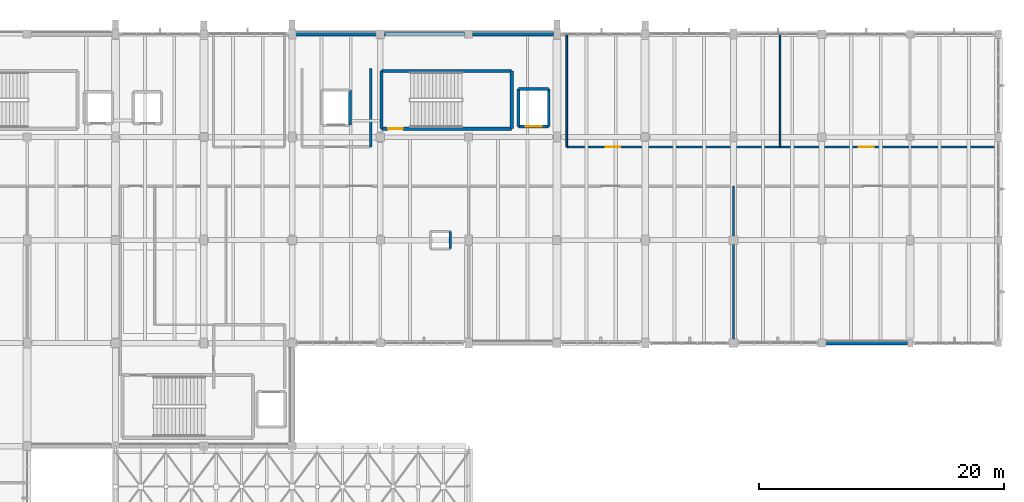
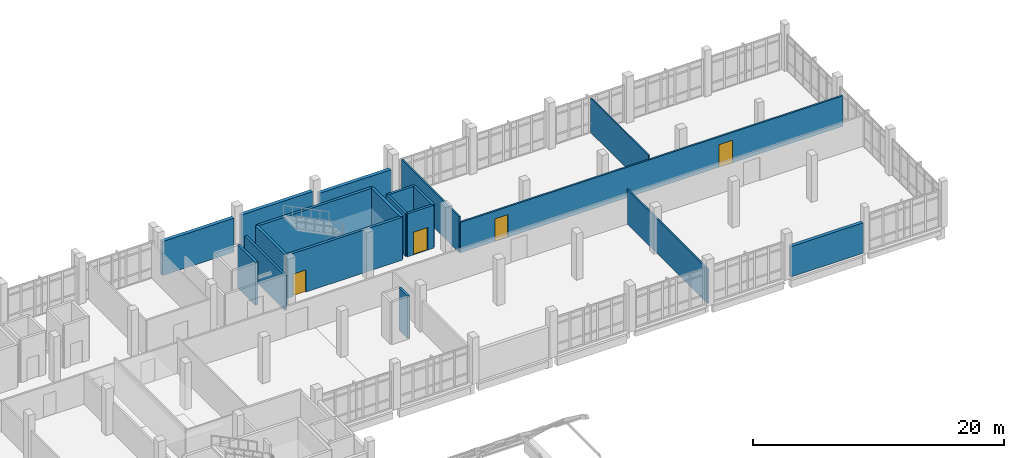
# One storey, part 78 of 87: 19 walls, 4 doors, 4 openings.
"""IFC4 building model written with IfcOpenShell, lengths in metres."""

import ifcopenshell
import ifcopenshell.guid

model = None  # the IFC model being written
_history = None  # IfcOwnerHistory: only IFC2X3 demands one
_inside = {}  # id of a spatial element -> (the spatial element, [elements in it])
_under = {}  # id of a project, library or spatial element -> (it, [spatial elements below it])
_declared = {}  # id of a project -> (the project, [libraries it declares])
_typed = {}  # id of a type object -> (the type object, [elements of that type])
_made_of = {}  # id of a material, layer set ... -> (it, [elements and type objects made of it])


def new_model(schema):
    """Start an empty IFC model of exactly this schema.

    Asked for "IFC4X3", IfcOpenShell would pick the latest addendum, in which some entities
    have other attributes; the version numbers below select the first issue.
    IFC2X3 requires an IfcOwnerHistory on every rooted entity: one is made here for all.
    """
    global model, _history
    if schema == "IFC4X3":
        model = ifcopenshell.file(schema_version=(4, 3, 0, 0))
    else:
        model = ifcopenshell.file(schema=schema)
    _inside.clear()
    _under.clear()
    _declared.clear()
    _typed.clear()
    _made_of.clear()
    _history = None
    if model.schema == "IFC2X3":
        org = make("IfcOrganization", Name="unknown")
        user = make(
            "IfcPersonAndOrganization",
            ThePerson=make("IfcPerson", FamilyName="unknown"),
            TheOrganization=org,
        )
        app = make(
            "IfcApplication",
            ApplicationDeveloper=org,
            Version="unknown",
            ApplicationFullName="unknown",
            ApplicationIdentifier="unknown",
        )
        _history = make(
            "IfcOwnerHistory",
            OwningUser=user,
            OwningApplication=app,
            ChangeAction="ADDED",
            CreationDate=0,
        )
    return model


def make(cls, **values):
    """One entity of the class cls with the attributes given. An attribute that is None is left unset."""
    return model.create_entity(
        cls, **{name: value for name, value in values.items() if value is not None}
    )


def rooted(cls, **values):
    """An entity with a GlobalId (a new one), such as an element, a storey or a relation."""
    return make(cls, GlobalId=ifcopenshell.guid.new(), OwnerHistory=_history, **values)


def si_unit(unit_type, name, prefix=None):
    """IfcSIUnit, for example si_unit("LENGTHUNIT", "METRE", prefix="MILLI")."""
    return make("IfcSIUnit", UnitType=unit_type, Prefix=prefix, Name=name)


def assignment(units):
    """IfcUnitAssignment: the units of a project."""
    return None if units is None else make("IfcUnitAssignment", Units=units)


def point(xyz):
    """IfcCartesianPoint."""
    return None if xyz is None else make("IfcCartesianPoint", Coordinates=xyz)


def direction(xyz):
    """IfcDirection."""
    return None if xyz is None else make("IfcDirection", DirectionRatios=xyz)


def frame(location, z_axis=None, x_axis=None):
    """IfcAxis2Placement3D, a coordinate frame: its origin and axes. An axis left out is left unset."""
    return make(
        "IfcAxis2Placement3D",
        Location=point(location),
        Axis=direction(z_axis),
        RefDirection=direction(x_axis),
    )


def frame_2d(location, x_axis=None):
    """IfcAxis2Placement2D, a coordinate frame in the plane: its origin and x axis."""
    return make(
        "IfcAxis2Placement2D", Location=point(location), RefDirection=direction(x_axis)
    )


def origin():
    """The frame at (0, 0, 0) with its axes left unset."""
    return frame((0.0, 0.0, 0.0))


def place(relative_to, where):
    """IfcLocalPlacement: puts the frame where relative to a parent placement (None: the world)."""
    return make(
        "IfcLocalPlacement", PlacementRelTo=relative_to, RelativePlacement=where
    )


def context(
    kind, dimensions, precision=None, world=None, true_north=None, identifier=None
):
    """IfcGeometricRepresentationContext, for example the 3D "Model" context."""
    return make(
        "IfcGeometricRepresentationContext",
        ContextIdentifier=identifier,
        ContextType=kind,
        CoordinateSpaceDimension=dimensions,
        Precision=precision,
        WorldCoordinateSystem=world,
        TrueNorth=true_north,
    )


def subcontext(parent, identifier, kind, view, scale=None):
    """IfcGeometricRepresentationSubContext, for example "Body" below "Model"."""
    return make(
        "IfcGeometricRepresentationSubContext",
        ContextIdentifier=identifier,
        ContextType=kind,
        ParentContext=parent,
        TargetScale=scale,
        TargetView=view,
    )


def project(units=None, contexts=None):
    """IfcProject with its units and contexts."""
    return rooted(
        "IfcProject",
        Name="project",
        RepresentationContexts=contexts,
        UnitsInContext=assignment(units),
    )


def spatial(cls, under=None, at=None, **own):
    """A site, building, storey or space (cls), placed at a placement, below another one or the project."""
    s = rooted(cls, ObjectPlacement=at, **own)
    if under is not None:
        _under.setdefault(under.id(), (under, []))[1].append(s)
    return s


def profile(cls, at=None, kind="AREA", **sizes):
    """A parametric profile (cls). Its sizes go by their IFC names, for example OverallWidth=200.0."""
    return make(cls, ProfileType=kind, Position=at, **sizes)


def rectangle(**sizes):
    """IfcRectangleProfileDef."""
    return profile("IfcRectangleProfileDef", **sizes)


def extrude(swept, where, along, depth):
    """IfcExtrudedAreaSolid: the profile swept, set in the frame where, extruded along a direction by depth."""
    return make(
        "IfcExtrudedAreaSolid",
        SweptArea=swept,
        Position=where,
        ExtrudedDirection=direction(along),
        Depth=depth,
    )


def shape(context_of_items, identifier, shape_type, items):
    """IfcShapeRepresentation: the items that make up one representation, for example the "Body"."""
    return make(
        "IfcShapeRepresentation",
        ContextOfItems=context_of_items,
        RepresentationIdentifier=identifier,
        RepresentationType=shape_type,
        Items=items,
    )


def material(Name=None, Category=None):
    """IfcMaterial."""
    return make("IfcMaterial", Name=Name, Category=Category)


def layer(
    of_material, thickness, ventilated=None, Name=None, Category=None, Priority=None
):
    """IfcMaterialLayer: one layer of a wall or slab, of a material (None: an air gap)."""
    return make(
        "IfcMaterialLayer",
        Material=of_material,
        LayerThickness=thickness,
        IsVentilated=ventilated,
        Name=Name,
        Category=Category,
        Priority=Priority,
    )


def layer_set(layers, Name=None):
    """IfcMaterialLayerSet."""
    return make("IfcMaterialLayerSet", MaterialLayers=layers, LayerSetName=Name)


def made_of(thing, what):
    """Note that an element or type object is made of a material, layer set ...; save() writes the relation."""
    if what is not None:
        _made_of.setdefault(what.id(), (what, []))[1].append(thing)
    return thing


def type_object(cls, material=None, **own):
    """A type object (cls), such as IfcWallType, which elements share."""
    return made_of(rooted(cls, **own), material)


def element(
    cls,
    number,
    at=None,
    inside=None,
    cuts=None,
    type_object=None,
    material=None,
    context=None,
    identifier="Body",
    shape_type=None,
    held_by="IfcProductDefinitionShape",
    body=None,
    shapes=None,
    **own,
):
    """One element of the class cls, such as IfcWall. Its Tag is "e" and its number.

    at: its placement. inside: the storey or other place that contains it. cuts: it is an
    opening in that element (IfcRelVoidsElement). A single representation is given by context,
    identifier, shape_type and body (its items); several are given by shapes. held_by: the class
    of the entity that holds the representations. save() writes the other relations.
    """
    e = rooted(cls, Tag="e%d" % number, ObjectPlacement=at, **own)
    if body is not None:
        shapes = [shape(context, identifier, shape_type, body)]
    if shapes is not None:
        e.Representation = make(held_by, Representations=shapes)
    if inside is not None:
        _inside.setdefault(inside.id(), (inside, []))[1].append(e)
    if cuts is not None:
        rooted(
            "IfcRelVoidsElement", RelatingBuildingElement=cuts, RelatedOpeningElement=e
        )
    if type_object is not None:
        _typed.setdefault(type_object.id(), (type_object, []))[1].append(e)
    return made_of(e, material)


def fill(opening, filler):
    """IfcRelFillsElement: the door or window that sits in an opening."""
    return rooted(
        "IfcRelFillsElement",
        RelatingOpeningElement=opening,
        RelatedBuildingElement=filler,
    )


def aggregate(whole, parts):
    """IfcRelAggregates: a whole, such as a stair, and the parts it consists of."""
    return rooted("IfcRelAggregates", RelatingObject=whole, RelatedObjects=parts)


def save(model, path):
    """Write the relations noted so far, then the file.

    IfcRelAggregates (storeys below a building ...), IfcRelContainedInSpatialStructure (elements
    in a storey), IfcRelDefinesByType, IfcRelAssociatesMaterial and IfcRelDeclares: one each for
    every whole, place, type object, material and project.
    """
    for whole, parts in _under.values():
        aggregate(whole, parts)
    for where, things in _inside.values():
        rooted(
            "IfcRelContainedInSpatialStructure",
            RelatedElements=things,
            RelatingStructure=where,
        )
    for kind, things in _typed.values():
        rooted("IfcRelDefinesByType", RelatedObjects=things, RelatingType=kind)
    for what, things in _made_of.values():
        rooted("IfcRelAssociatesMaterial", RelatedObjects=things, RelatingMaterial=what)
    for by, libraries in _declared.values():
        rooted("IfcRelDeclares", RelatingContext=by, RelatedDefinitions=libraries)
    model.write(path)


model = new_model("IFC4")

# Units and contexts
model_context = context("Model", 3, precision=1e-05, world=origin(), true_north=direction((0.0, 1.0)))
body_context = subcontext(model_context, "Body", "Model", "MODEL_VIEW")
ifc_project = project(units=[si_unit("LENGTHUNIT", "METRE"), si_unit("AREAUNIT", "SQUARE_METRE"), si_unit("VOLUMEUNIT", "CUBIC_METRE"), si_unit("PLANEANGLEUNIT", "RADIAN"), si_unit("MASSUNIT", "GRAM", prefix="KILO")], contexts=[model_context])

# Site, building, storey
site_placement = place(None, origin())
site = spatial("IfcSite", under=ifc_project, at=site_placement, CompositionType="ELEMENT")
building_placement = place(site_placement, origin())
building = spatial("IfcBuilding", under=site, at=building_placement, Name="Kalluvel Institute of Natural Sciences", CompositionType="ELEMENT")
storey_placement = place(building_placement, frame((0.0, 0.0, 18.89990234375)))
storey = spatial("IfcBuildingStorey", under=building, at=storey_placement, Name="L04", CompositionType="ELEMENT", Elevation=18.89990234375)

# Wall, opening, door
ifc_material_1 = material(Name="Concrete M40", Category="concrete")
ifc_layer_1 = layer(ifc_material_1, 0.25)
ifc_layer_set_1 = layer_set([ifc_layer_1], Name="Concrete M40")
wall_type_1 = type_object("IfcWallType", Name="WL-CORE-250", PredefinedType="SHEAR", material=ifc_layer_set_1)
wall_1_placement = place(storey_placement, frame((64.485107421875, 120.284912109375, 0.0), z_axis=(0.0, 0.0, 1.0), x_axis=(1.0, 0.0, 0.0)))
wall_1 = element("IfcWall", 1, at=wall_1_placement, inside=storey, type_object=wall_type_1, Name="ST2 L04 core wall S", PredefinedType="SHEAR", context=body_context, shape_type="SweptSolid", body=[
    extrude(rectangle(XDim=10.6298828125, YDim=0.25, at=frame_2d((5.31494140625, 0.0))), origin(), (0.0, 0.0, 1.0), 4.175048828125),
])
opening_1_placement = place(wall_1_placement, frame((0.550048828125, 0.0, 0.0)))
opening_1 = element("IfcOpeningElement", 2, at=opening_1_placement, cuts=wall_1, Name="Opening DS-017", PredefinedType="OPENING", context=body_context, shape_type="SweptSolid", body=[
    extrude(rectangle(XDim=1.199951171875, YDim=2.14990234375, at=frame_2d((0.60009765625, 1.074951171875))), frame((0.0, 0.135009765625, 0.0), z_axis=(0.0, -1.0, 0.0), x_axis=(1.0, 0.0, 0.0)), (0.0, 0.0, 1.0), 0.27001953125),
])
ifc_material_2 = material(Name="Galvanized Fire-Rated Steel", Category="steel")
door_type_1 = type_object("IfcDoorType", Name="DR-ST-1200", OperationType="NOTDEFINED", PredefinedType="DOOR", material=ifc_material_2)
door_1_placement = place(opening_1_placement, origin())
door_1 = element("IfcDoor", 3, at=door_1_placement, inside=storey, type_object=door_type_1, Name="ST2 L04 protected stair door DS-017", OperationType="SINGLE_SWING_RIGHT", OverallHeight=2.14990234375, OverallWidth=1.199951171875, PredefinedType="DOOR", context=body_context, shape_type="SweptSolid", body=[
    extrude(rectangle(XDim=1.199951171875, YDim=2.14990234375, at=frame_2d((0.60009765625, 1.074951171875))), frame((0.0, 0.02490234375, 0.0), z_axis=(0.0, -1.0, 0.0), x_axis=(1.0, 0.0, 0.0)), (0.0, 0.0, 1.0), 0.050048828125),
])
fill(opening_1, door_1)

# Walls
wall_2_placement = place(storey_placement, frame((75.114990234375, 120.284912109375, 0.0), z_axis=(0.0, 0.0, 1.0), x_axis=(0.0, 1.0, 0.0)))
element("IfcWall", 4, at=wall_2_placement, inside=storey, type_object=wall_type_1, Name="ST2 L04 core wall E", PredefinedType="SHEAR", context=body_context, shape_type="SweptSolid", body=[
    extrude(rectangle(XDim=4.7001953125, YDim=0.25, at=frame_2d((2.35009765625, 0.0))), origin(), (0.0, 0.0, 1.0), 4.175048828125),
])
wall_3_placement = place(storey_placement, frame((75.114990234375, 124.985107421875, 0.0), z_axis=(0.0, 0.0, 1.0), x_axis=(-1.0, 0.0, 0.0)))
element("IfcWall", 5, at=wall_3_placement, inside=storey, type_object=wall_type_1, Name="ST2 L04 core wall N", PredefinedType="SHEAR", context=body_context, shape_type="SweptSolid", body=[
    extrude(rectangle(XDim=10.6298828125, YDim=0.25, at=frame_2d((5.31494140625, 0.0))), origin(), (0.0, 0.0, 1.0), 4.175048828125),
])
wall_4_placement = place(storey_placement, frame((64.485107421875, 124.985107421875, 0.0), z_axis=(0.0, 0.0, 1.0), x_axis=(0.0, -1.0, 0.0)))
element("IfcWall", 6, at=wall_4_placement, inside=storey, type_object=wall_type_1, Name="ST2 L04 core wall W", PredefinedType="SHEAR", context=body_context, shape_type="SweptSolid", body=[
    extrude(rectangle(XDim=4.7001953125, YDim=0.25, at=frame_2d((2.35009765625, 0.0))), origin(), (0.0, 0.0, 1.0), 4.175048828125),
])
ifc_material_3 = material(Name="Sadarahalli Grey Granite Ashlar Concrete M40", Category="masonry")
ifc_layer_2 = layer(ifc_material_3, 0.300048828125)
ifc_layer_set_2 = layer_set([ifc_layer_2], Name="Sadarahalli Grey Granite Ashlar Concrete M40")
wall_type_2 = type_object("IfcWallType", Name="WL-EXT-300", PredefinedType="SOLIDWALL", material=ifc_layer_set_2)
wall_5_placement = place(storey_placement, frame((100.705078125, 102.800048828125, 0.0), z_axis=(0.0, 0.0, 1.0), x_axis=(1.0, 0.0, 0.0)))
element("IfcWall", 7, at=wall_5_placement, inside=storey, type_object=wall_type_2, Name="L04 Sadarahalli granite exterior wall WL-EXT-L04-0058", PredefinedType="SOLIDWALL", context=body_context, shape_type="SweptSolid", body=[
    extrude(rectangle(XDim=6.68994140625, YDim=0.300048828125, at=frame_2d((3.344970703125, 0.0))), origin(), (0.0, 0.0, 1.0), 2.955078125),
])
ifc_layer_3 = layer(ifc_material_3, 0.320068359375)
ifc_layer_set_3 = layer_set([ifc_layer_3], Name="Sadarahalli Grey Granite Ashlar Concrete M40")
wall_type_3 = type_object("IfcWallType", Name="WL-EXT-320", PredefinedType="SOLIDWALL", material=ifc_layer_set_3)
wall_6_placement = place(storey_placement, frame((57.47998046875, 128.0, 0.0), z_axis=(0.0, 0.0, 1.0), x_axis=(1.0, 0.0, 0.0)))
element("IfcWall", 8, at=wall_6_placement, inside=storey, type_object=wall_type_3, Name="L04 Sadarahalli granite exterior wall WL-EXT-L04-0054", PredefinedType="SOLIDWALL", context=body_context, shape_type="SweptSolid", body=[
    extrude(rectangle(XDim=6.590087890625, YDim=0.320068359375, at=frame_2d((3.294921875, 0.0))), origin(), (0.0, 0.0, 1.0), 3.30517578125),
])
wall_7_placement = place(storey_placement, frame((64.72998046875, 128.0, 0.0), z_axis=(0.0, 0.0, 1.0), x_axis=(1.0, 0.0, 0.0)))
element("IfcWall", 9, at=wall_7_placement, inside=storey, type_object=wall_type_3, Name="L04 Sadarahalli granite exterior wall WL-EXT-L04-0055", PredefinedType="SOLIDWALL", context=body_context, shape_type="SweptSolid", body=[
    extrude(rectangle(XDim=6.56494140625, YDim=0.320068359375, at=frame_2d((3.282470703125, 0.0))), origin(), (0.0, 0.0, 1.0), 3.35498046875),
])
wall_8_placement = place(storey_placement, frame((71.905029296875, 128.0, 0.0), z_axis=(0.0, 0.0, 1.0), x_axis=(1.0, 0.0, 0.0)))
element("IfcWall", 10, at=wall_8_placement, inside=storey, type_object=wall_type_3, Name="L04 Sadarahalli granite exterior wall WL-EXT-L04-0056", PredefinedType="SOLIDWALL", context=body_context, shape_type="SweptSolid", body=[
    extrude(rectangle(XDim=6.614990234375, YDim=0.320068359375, at=frame_2d((3.3076171875, 0.0))), origin(), (0.0, 0.0, 1.0), 2.955078125),
])
ifc_material_4 = material(Name="Autoclaved Aerated Concrete Masonry Block", Category="masonry")
ifc_layer_4 = layer(ifc_material_4, 0.199951171875)
ifc_layer_set_4 = layer_set([ifc_layer_4], Name="Autoclaved Aerated Concrete Masonry Block")
wall_type_4 = type_object("IfcWallType", Name="WL-FIRE-200", PredefinedType="SOLIDWALL", material=ifc_layer_set_4)
wall_9_placement = place(storey_placement, frame((63.60009765625, 118.800048828125, 0.0), z_axis=(0.0, 0.0, 1.0), x_axis=(0.0, 1.0, 0.0)))
element("IfcWall", 11, at=wall_9_placement, inside=storey, type_object=wall_type_4, Name="L04 interior fire wall WL-INT-L04-0206", PredefinedType="SOLIDWALL", context=body_context, shape_type="SweptSolid", body=[
    extrude(rectangle(XDim=6.39990234375, YDim=0.199951171875, at=frame_2d((3.199951171875, 0.0))), origin(), (0.0, 0.0, 1.0), 3.360107421875),
])
ifc_material_5 = material(Name="Acoustic Gypsum Twin-Stud Partition", Category="gypsum")
ifc_layer_5 = layer(ifc_material_5, 0.1201171875)
ifc_layer_set_5 = layer_set([ifc_layer_5], Name="Acoustic Gypsum Twin-Stud Partition")
wall_type_5 = type_object("IfcWallType", Name="WL-PART-120", PredefinedType="PARTITIONING", material=ifc_layer_set_5)
wall_10_placement = place(storey_placement, frame((97.0, 118.800048828125, 0.0), z_axis=(0.0, 0.0, 1.0), x_axis=(0.0, 1.0, 0.0)))
element("IfcWall", 12, at=wall_10_placement, inside=storey, type_object=wall_type_5, Name="L04 interior partition wall WL-INT-L04-0224", PredefinedType="PARTITIONING", context=body_context, shape_type="SweptSolid", body=[
    extrude(rectangle(XDim=9.199951171875, YDim=0.1201171875, at=frame_2d((4.60009765625, 0.0))), origin(), (0.0, 0.0, 1.0), 3.360107421875),
])
ifc_layer_6 = layer(ifc_material_5, 0.139892578125)
ifc_layer_set_6 = layer_set([ifc_layer_6], Name="Acoustic Gypsum Twin-Stud Partition")
wall_type_6 = type_object("IfcWallType", Name="WL-PART-140", PredefinedType="PARTITIONING", material=ifc_layer_set_6)
wall_11_placement = place(storey_placement, frame((79.60009765625, 118.800048828125, 0.0), z_axis=(0.0, 0.0, 1.0), x_axis=(0.0, 1.0, 0.0)))
element("IfcWall", 13, at=wall_11_placement, inside=storey, type_object=wall_type_6, Name="L04 interior partition wall WL-INT-L04-0223", PredefinedType="PARTITIONING", context=body_context, shape_type="SweptSolid", body=[
    extrude(rectangle(XDim=9.199951171875, YDim=0.139892578125, at=frame_2d((4.60009765625, 0.0))), origin(), (0.0, 0.0, 1.0), 3.510009765625),
])
wall_12_placement = place(storey_placement, frame((93.199951171875, 102.800048828125, 0.0), z_axis=(0.0, 0.0, 1.0), x_axis=(0.0, 1.0, 0.0)))
element("IfcWall", 14, at=wall_12_placement, inside=storey, type_object=wall_type_6, Name="L04 interior partition wall WL-INT-L04-0229", PredefinedType="PARTITIONING", context=body_context, shape_type="SweptSolid", body=[
    extrude(rectangle(XDim=12.800048828125, YDim=0.139892578125, at=frame_2d((6.39990234375, 0.0))), origin(), (0.0, 0.0, 1.0), 3.360107421875),
])

# Wall, openings, doors
ifc_layer_7 = layer(ifc_material_4, 0.159912109375)
ifc_layer_set_7 = layer_set([ifc_layer_7], Name="Autoclaved Aerated Concrete Masonry Block")
wall_type_7 = type_object("IfcWallType", Name="WL-PART-160", PredefinedType="PARTITIONING", material=ifc_layer_set_7)
wall_13_placement = place(storey_placement, frame((79.60009765625, 118.800048828125, 0.0), z_axis=(0.0, 0.0, 1.0), x_axis=(1.0, 0.0, 0.0)))
wall_13 = element("IfcWall", 15, at=wall_13_placement, inside=storey, type_object=wall_type_7, Name="L04 interior partition wall WL-INT-L04-0222", PredefinedType="PARTITIONING", context=body_context, shape_type="SweptSolid", body=[
    extrude(rectangle(XDim=35.199951171875, YDim=0.159912109375, at=frame_2d((17.60009765625, 0.0))), origin(), (0.0, 0.0, 1.0), 2.960205078125),
])
opening_2_placement = place(wall_13_placement, frame((3.199951171875, 0.0, 0.0)))
opening_2 = element("IfcOpeningElement", 16, at=opening_2_placement, cuts=wall_13, Name="Opening D-175", PredefinedType="OPENING", context=body_context, shape_type="SweptSolid", body=[
    extrude(rectangle(XDim=1.179931640625, YDim=2.199951171875, at=frame_2d((0.58984375, 1.10009765625))), frame((0.0, 0.08984375, 0.0), z_axis=(0.0, -1.0, 0.0), x_axis=(1.0, 0.0, 0.0)), (0.0, 0.0, 1.0), 0.179931640625),
])
opening_3_placement = place(wall_13_placement, frame((23.800048828125, 0.0, 0.0)))
opening_3 = element("IfcOpeningElement", 17, at=opening_3_placement, cuts=wall_13, Name="Opening D-176", PredefinedType="OPENING", context=body_context, shape_type="SweptSolid", body=[
    extrude(rectangle(XDim=1.25, YDim=2.199951171875, at=frame_2d((0.625, 1.10009765625))), frame((0.0, 0.08984375, 0.0), z_axis=(0.0, -1.0, 0.0), x_axis=(1.0, 0.0, 0.0)), (0.0, 0.0, 1.0), 0.179931640625),
])
ifc_material_6 = material(Name="Engineered Hardwood Acoustic Leaf", Category="wood")
door_type_2 = type_object("IfcDoorType", Name="DR-INT-1180", OperationType="NOTDEFINED", PredefinedType="DOOR", material=ifc_material_6)
door_2_placement = place(opening_2_placement, origin())
door_2 = element("IfcDoor", 18, at=door_2_placement, inside=storey, type_object=door_type_2, Name="L04 NE1 door D-175", OperationType="SINGLE_SWING_LEFT", OverallHeight=2.199951171875, OverallWidth=1.179931640625, PredefinedType="DOOR", context=body_context, shape_type="SweptSolid", body=[
    extrude(rectangle(XDim=1.179931640625, YDim=2.199951171875, at=frame_2d((0.58984375, 1.10009765625))), frame((0.0, 0.02490234375, 0.0), z_axis=(0.0, -1.0, 0.0), x_axis=(1.0, 0.0, 0.0)), (0.0, 0.0, 1.0), 0.050048828125),
])
fill(opening_2, door_2)
door_type_3 = type_object("IfcDoorType", Name="DR-INT-1250", OperationType="NOTDEFINED", PredefinedType="DOOR", material=ifc_material_6)
door_3_placement = place(opening_3_placement, origin())
door_3 = element("IfcDoor", 19, at=door_3_placement, inside=storey, type_object=door_type_3, Name="L04 NE2 door D-176", OperationType="SINGLE_SWING_RIGHT", OverallHeight=2.199951171875, OverallWidth=1.25, PredefinedType="DOOR", context=body_context, shape_type="SweptSolid", body=[
    extrude(rectangle(XDim=1.25, YDim=2.199951171875, at=frame_2d((0.625, 1.10009765625))), frame((0.0, 0.02490234375, 0.0), z_axis=(0.0, -1.0, 0.0), x_axis=(1.0, 0.0, 0.0)), (0.0, 0.0, 1.0), 0.050048828125),
])
fill(opening_3, door_3)

# Walls
ifc_layer_8 = layer(ifc_material_1, 0.199951171875)
ifc_layer_set_8 = layer_set([ifc_layer_8], Name="Concrete M40")
wall_type_8 = type_object("IfcWallType", Name="WL-RISER-200", PredefinedType="SHEAR", material=ifc_layer_set_8)
wall_14_placement = place(storey_placement, frame((70.10009765625, 110.5, 0.0), z_axis=(0.0, 0.0, 1.0), x_axis=(0.0, 1.0, 0.0)))
element("IfcWall", 20, at=wall_14_placement, inside=storey, type_object=wall_type_8, Name="RS-WET-E L04 service riser enclosure E", PredefinedType="SHEAR", context=body_context, shape_type="SweptSolid", body=[
    extrude(rectangle(XDim=1.39990234375, YDim=0.199951171875, at=frame_2d((0.699951171875, 0.0))), origin(), (0.0, 0.0, 1.0), 4.14013671875),
])
ifc_layer_9 = layer(ifc_material_1, 0.219970703125)
ifc_layer_set_9 = layer_set([ifc_layer_9], Name="Concrete M40")
wall_type_9 = type_object("IfcWallType", Name="WL-SHAFT-220", PredefinedType="SHEAR", material=ifc_layer_set_9)
wall_15_placement = place(storey_placement, frame((61.929931640625, 120.570068359375, 0.0), z_axis=(0.0, 0.0, 1.0), x_axis=(0.0, 1.0, 0.0)))
element("IfcWall", 21, at=wall_15_placement, inside=storey, type_object=wall_type_9, Name="LF3 L04 lift shaft wall", PredefinedType="SHEAR", context=body_context, shape_type="SweptSolid", body=[
    extrude(rectangle(XDim=2.85986328125, YDim=0.219970703125, at=frame_2d((1.429931640625, 0.0))), origin(), (0.0, 0.0, 1.0), 4.175048828125),
])

# Wall, opening, door
wall_16_placement = place(storey_placement, frame((75.669921875, 120.469970703125, 0.0), z_axis=(0.0, 0.0, 1.0), x_axis=(1.0, 0.0, 0.0)))
wall_16 = element("IfcWall", 22, at=wall_16_placement, inside=storey, type_object=wall_type_9, Name="LF4 L04 lift shaft wall", PredefinedType="SHEAR", context=body_context, shape_type="SweptSolid", body=[
    extrude(rectangle(XDim=2.4599609375, YDim=0.219970703125, at=frame_2d((1.22998046875, 0.0))), origin(), (0.0, 0.0, 1.0), 4.175048828125),
])
opening_4_placement = place(wall_16_placement, frame((0.580078125, 0.0, 0.0)))
opening_4 = element("IfcOpeningElement", 23, at=opening_4_placement, cuts=wall_16, Name="Opening LD-036", PredefinedType="OPENING", context=body_context, shape_type="SweptSolid", body=[
    extrude(rectangle(XDim=1.300048828125, YDim=2.199951171875, at=frame_2d((0.64990234375, 1.10009765625))), frame((0.0, 0.119873046875, 0.0), z_axis=(0.0, -1.0, 0.0), x_axis=(1.0, 0.0, 0.0)), (0.0, 0.0, 1.0), 0.239990234375),
])
door_type_4 = type_object("IfcDoorType", Name="DR-LD-1300", OperationType="NOTDEFINED", PredefinedType="DOOR", material=ifc_material_2)
door_4_placement = place(opening_4_placement, origin())
door_4 = element("IfcDoor", 24, at=door_4_placement, inside=storey, type_object=door_type_4, Name="LF4 L04 sliding lift landing door LD-036", OperationType="DOUBLE_DOOR_SLIDING", OverallHeight=2.199951171875, OverallWidth=1.300048828125, PredefinedType="DOOR", context=body_context, shape_type="SweptSolid", body=[
    extrude(rectangle(XDim=1.300048828125, YDim=2.199951171875, at=frame_2d((0.64990234375, 1.10009765625))), frame((0.0, 0.02490234375, 0.0), z_axis=(0.0, -1.0, 0.0), x_axis=(1.0, 0.0, 0.0)), (0.0, 0.0, 1.0), 0.050048828125),
])
fill(opening_4, door_4)

# Walls
wall_17_placement = place(storey_placement, frame((78.1298828125, 120.469970703125, 0.0), z_axis=(0.0, 0.0, 1.0), x_axis=(0.0, 1.0, 0.0)))
element("IfcWall", 25, at=wall_17_placement, inside=storey, type_object=wall_type_9, Name="LF4 L04 lift shaft wall", PredefinedType="SHEAR", context=body_context, shape_type="SweptSolid", body=[
    extrude(rectangle(XDim=3.06005859375, YDim=0.219970703125, at=frame_2d((1.530029296875, 0.0))), origin(), (0.0, 0.0, 1.0), 4.175048828125),
])
wall_18_placement = place(storey_placement, frame((78.1298828125, 123.530029296875, 0.0), z_axis=(0.0, 0.0, 1.0), x_axis=(-1.0, 0.0, 0.0)))
element("IfcWall", 26, at=wall_18_placement, inside=storey, type_object=wall_type_9, Name="LF4 L04 lift shaft wall", PredefinedType="SHEAR", context=body_context, shape_type="SweptSolid", body=[
    extrude(rectangle(XDim=2.4599609375, YDim=0.219970703125, at=frame_2d((1.22998046875, 0.0))), origin(), (0.0, 0.0, 1.0), 4.175048828125),
])
wall_19_placement = place(storey_placement, frame((75.669921875, 123.530029296875, 0.0), z_axis=(0.0, 0.0, 1.0), x_axis=(0.0, -1.0, 0.0)))
element("IfcWall", 27, at=wall_19_placement, inside=storey, type_object=wall_type_9, Name="LF4 L04 lift shaft wall", PredefinedType="SHEAR", context=body_context, shape_type="SweptSolid", body=[
    extrude(rectangle(XDim=3.06005859375, YDim=0.219970703125, at=frame_2d((1.530029296875, 0.0))), origin(), (0.0, 0.0, 1.0), 4.175048828125),
])

save(model, "model.ifc")
